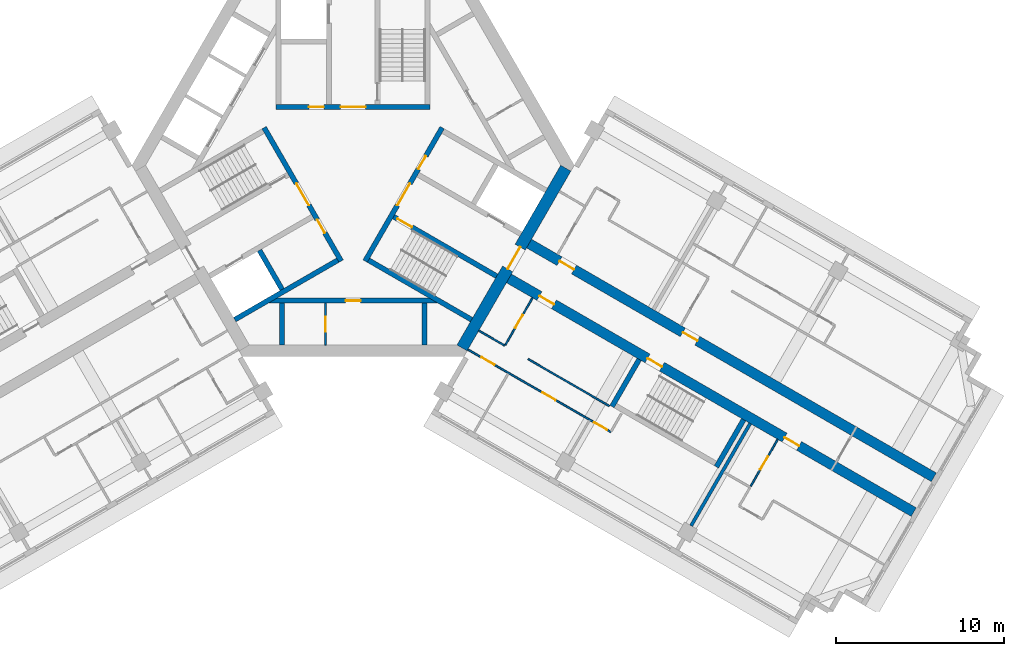
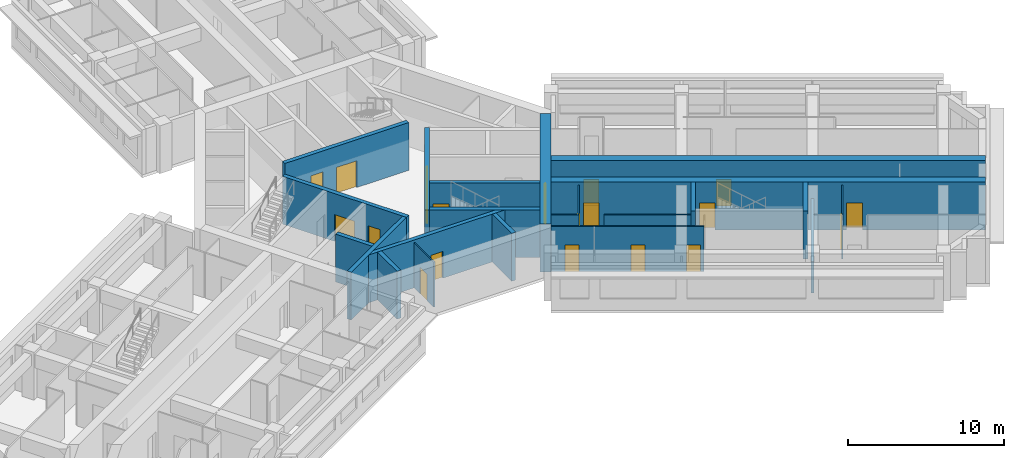
# One storey, part 5 of 10: 22 walls, 20 doors, 20 openings.
"""IFC4 building model written with IfcOpenShell, lengths in metres."""

from ifc_helpers import new_model, si_unit, direction, frame, frame_2d, origin, place, context, subcontext, project, spatial, rectangle, extrude, material, layer, layer_set, type_object, element, fill, save


model = new_model("IFC4")

# Units and contexts
model_context = context("Model", 3, precision=1e-05, world=origin(), true_north=direction((0.0, 1.0)))
body_context = subcontext(model_context, "Body", "Model", "MODEL_VIEW")
ifc_project = project(units=[si_unit("LENGTHUNIT", "METRE"), si_unit("AREAUNIT", "SQUARE_METRE"), si_unit("VOLUMEUNIT", "CUBIC_METRE"), si_unit("PLANEANGLEUNIT", "RADIAN"), si_unit("MASSUNIT", "GRAM", prefix="KILO")], contexts=[model_context])

# Site, building, storey
site_placement = place(None, origin())
site = spatial("IfcSite", under=ifc_project, at=site_placement, CompositionType="ELEMENT")
building_placement = place(site_placement, origin())
building = spatial("IfcBuilding", under=site, at=building_placement, Name="Impinga Residences", CompositionType="ELEMENT")
storey_placement = place(building_placement, frame((0.0, 0.0, 196.0)))
storey = spatial("IfcBuildingStorey", under=building, at=storey_placement, Name="L48", CompositionType="ELEMENT", Elevation=196.0)

# Wall, openings, doors
ifc_material_1 = material(Name="Concrete C60/75", Category="concrete")
ifc_layer_1 = layer(ifc_material_1, 0.60009765625)
ifc_layer_set_1 = layer_set([ifc_layer_1], Name="Concrete C60/75")
wall_type_1 = type_object("IfcWallType", Name="BW3 corridor buttress wall, L46 to L73 600", PredefinedType="SHEAR", material=ifc_layer_set_1)
wall_1_placement = place(storey_placement, frame((10.19677734375, -4.50146484375, 0.0), z_axis=(0.0, 0.0, 1.0), x_axis=(0.866026415941, -0.499998246889, 0.0)))
wall_1 = element("IfcWall", 1, at=wall_1_placement, inside=storey, type_object=wall_type_1, Name="Corridor wall BW3 EC L48", PredefinedType="SHEAR", context=body_context, shape_type="SweptSolid", body=[
    extrude(rectangle(XDim=28.25, YDim=0.60009765625, at=frame_2d((14.125, 0.0))), origin(), (0.0, 0.0, 1.0), 3.75),
])
opening_1_placement = place(wall_1_placement, frame((2.449951171875, 0.0, 0.0)))
opening_1 = element("IfcOpeningElement", 2, at=opening_1_placement, cuts=wall_1, Name="Opening D1", PredefinedType="OPENING", context=body_context, shape_type="SweptSolid", body=[
    extrude(rectangle(XDim=1.0, YDim=2.10009765625, at=frame_2d((0.5, 1.050048828125))), frame((0.0, 0.31005859375, 0.0), z_axis=(0.0, -1.0, 0.0), x_axis=(1.0, 0.0, 0.0)), (0.0, 0.0, 1.0), 0.6201171875),
])
opening_2_placement = place(wall_1_placement, frame((10.949951171875, 0.0, 0.0)))
opening_2 = element("IfcOpeningElement", 3, at=opening_2_placement, cuts=wall_1, Name="Opening D1", PredefinedType="OPENING", context=body_context, shape_type="SweptSolid", body=[
    extrude(rectangle(XDim=1.0, YDim=2.10009765625, at=frame_2d((0.5, 1.050048828125))), frame((0.0, 0.31005859375, 0.0), z_axis=(0.0, -1.0, 0.0), x_axis=(1.0, 0.0, 0.0)), (0.0, 0.0, 1.0), 0.6201171875),
])
ifc_material_2 = material(Name="Timber door set", Category="wood")
door_type_1 = type_object("IfcDoorType", Name="D1 apartment entrance door 1000x2100", OperationType="SINGLE_SWING_LEFT", PredefinedType="DOOR", material=ifc_material_2)
door_1_placement = place(opening_1_placement, origin())
door_1 = element("IfcDoor", 4, at=door_1_placement, inside=storey, type_object=door_type_1, Name="Apartment L48-EA1 entrance", OperationType="SINGLE_SWING_LEFT", OverallHeight=2.10009765625, OverallWidth=1.0, PredefinedType="DOOR", context=body_context, shape_type="SweptSolid", body=[
    extrude(rectangle(XDim=1.0, YDim=2.10009765625, at=frame_2d((0.5, 1.050048828125))), frame((0.0, 0.02490234375, 0.0), z_axis=(0.0, -1.0, 0.0), x_axis=(1.0, 0.0, 0.0)), (0.0, 0.0, 1.0), 0.050048828125),
])
fill(opening_1, door_1)
door_2_placement = place(opening_2_placement, origin())
door_2 = element("IfcDoor", 5, at=door_2_placement, inside=storey, type_object=door_type_1, Name="Apartment L48-EA2 entrance", OperationType="SINGLE_SWING_LEFT", OverallHeight=2.10009765625, OverallWidth=1.0, PredefinedType="DOOR", context=body_context, shape_type="SweptSolid", body=[
    extrude(rectangle(XDim=1.0, YDim=2.10009765625, at=frame_2d((0.5, 1.050048828125))), frame((0.0, 0.02490234375, 0.0), z_axis=(0.0, -1.0, 0.0), x_axis=(1.0, 0.0, 0.0)), (0.0, 0.0, 1.0), 0.050048828125),
])
fill(opening_2, door_2)

wall_2_placement = place(storey_placement, frame((8.996826171875, -6.580078125, 0.0), z_axis=(0.0, 0.0, 1.0), x_axis=(0.866026415941, -0.499998246889, 0.0)))
wall_2 = element("IfcWall", 6, at=wall_2_placement, inside=storey, type_object=wall_type_1, Name="Corridor wall BW3 ED L48", PredefinedType="SHEAR", context=body_context, shape_type="SweptSolid", body=[
    extrude(rectangle(XDim=28.25, YDim=0.60009765625, at=frame_2d((14.125, 0.0))), origin(), (0.0, 0.0, 1.0), 3.75),
])
opening_3_placement = place(wall_2_placement, frame((9.89990234375, 0.0, 0.0)))
opening_3 = element("IfcOpeningElement", 7, at=opening_3_placement, cuts=wall_2, Name="Opening D5", PredefinedType="OPENING", context=body_context, shape_type="SweptSolid", body=[
    extrude(rectangle(XDim=1.0, YDim=2.10009765625, at=frame_2d((0.5, 1.050048828125))), frame((0.0, 0.31005859375, 0.0), z_axis=(0.0, -1.0, 0.0), x_axis=(1.0, 0.0, 0.0)), (0.0, 0.0, 1.0), 0.6201171875),
])
opening_4_placement = place(wall_2_placement, frame((2.449951171875, 0.0, 0.0)))
opening_4 = element("IfcOpeningElement", 8, at=opening_4_placement, cuts=wall_2, Name="Opening D1", PredefinedType="OPENING", context=body_context, shape_type="SweptSolid", body=[
    extrude(rectangle(XDim=1.0, YDim=2.10009765625, at=frame_2d((0.5, 1.050048828125))), frame((0.0, 0.31005859375, 0.0), z_axis=(0.0, -1.0, 0.0), x_axis=(1.0, 0.0, 0.0)), (0.0, 0.0, 1.0), 0.6201171875),
])
opening_5_placement = place(wall_2_placement, frame((19.35009765625, 0.0, 0.0)))
opening_5 = element("IfcOpeningElement", 9, at=opening_5_placement, cuts=wall_2, Name="Opening D1", PredefinedType="OPENING", context=body_context, shape_type="SweptSolid", body=[
    extrude(rectangle(XDim=1.0, YDim=2.10009765625, at=frame_2d((0.5, 1.050048828125))), frame((0.0, 0.31005859375, 0.0), z_axis=(0.0, -1.0, 0.0), x_axis=(1.0, 0.0, 0.0)), (0.0, 0.0, 1.0), 0.6201171875),
])
door_3_placement = place(opening_4_placement, origin())
door_3 = element("IfcDoor", 10, at=door_3_placement, inside=storey, type_object=door_type_1, Name="Apartment L48-EF1 entrance", OperationType="SINGLE_SWING_LEFT", OverallHeight=2.10009765625, OverallWidth=1.0, PredefinedType="DOOR", context=body_context, shape_type="SweptSolid", body=[
    extrude(rectangle(XDim=1.0, YDim=2.10009765625, at=frame_2d((0.5, 1.050048828125))), frame((0.0, 0.02490234375, 0.0), z_axis=(0.0, -1.0, 0.0), x_axis=(1.0, 0.0, 0.0)), (0.0, 0.0, 1.0), 0.050048828125),
])
fill(opening_4, door_3)
door_4_placement = place(opening_5_placement, origin())
door_4 = element("IfcDoor", 11, at=door_4_placement, inside=storey, type_object=door_type_1, Name="Apartment L48-EF2 entrance", OperationType="SINGLE_SWING_RIGHT", OverallHeight=2.10009765625, OverallWidth=1.0, PredefinedType="DOOR", context=body_context, shape_type="SweptSolid", body=[
    extrude(rectangle(XDim=1.0, YDim=2.10009765625, at=frame_2d((0.5, 1.050048828125))), frame((0.0, 0.02490234375, 0.0), z_axis=(0.0, -1.0, 0.0), x_axis=(1.0, 0.0, 0.0)), (0.0, 0.0, 1.0), 0.050048828125),
])
fill(opening_5, door_4)
door_type_2 = type_object("IfcDoorType", Name="D5 stair door 1000x2100", OperationType="SINGLE_SWING_LEFT", PredefinedType="DOOR", material=ifc_material_2)
door_5_placement = place(opening_3_placement, origin())
door_5 = element("IfcDoor", 12, at=door_5_placement, inside=storey, type_object=door_type_2, Name="Wing stair door E", OperationType="SINGLE_SWING_LEFT", OverallHeight=2.10009765625, OverallWidth=1.0, PredefinedType="DOOR", context=body_context, shape_type="SweptSolid", body=[
    extrude(rectangle(XDim=1.0, YDim=2.10009765625, at=frame_2d((0.5, 1.050048828125))), frame((0.0, 0.02490234375, 0.0), z_axis=(0.0, -1.0, 0.0), x_axis=(1.0, 0.0, 0.0)), (0.0, 0.0, 1.0), 0.050048828125),
])
fill(opening_3, door_5)

# Wall, opening, door
ifc_material_3 = material(Name="Concrete blockwork", Category="masonry")
ifc_layer_2 = layer(ifc_material_3, 0.10009765625)
ifc_layer_set_2 = layer_set([ifc_layer_2], Name="CP1 core room partition, blockwork 100")
wall_type_2 = type_object("IfcWallType", Name="CP1 core room partition, blockwork 100", PredefinedType="PARTITIONING", material=ifc_layer_set_2)
wall_3_placement = place(storey_placement, frame((-1.64990234375, -8.2314453125, 0.0), z_axis=(0.0, 0.0, 1.0), x_axis=(0.0, -1.0, 0.0)))
wall_3 = element("IfcWall", 13, at=wall_3_placement, inside=storey, type_object=wall_type_2, Name="Core room partition, blockwork L48:CORE:low:ZP1", PredefinedType="PARTITIONING", context=body_context, shape_type="SweptSolid", body=[
    extrude(rectangle(XDim=2.5, YDim=0.10009765625, at=frame_2d((1.25, 0.0))), origin(), (0.0, 0.0, 1.0), 3.530029296875),
])
opening_6_placement = place(wall_3_placement, frame((0.800048828125, 0.0, 0.0)))
opening_6 = element("IfcOpeningElement", 14, at=opening_6_placement, cuts=wall_3, Name="Opening D6", PredefinedType="OPENING", context=body_context, shape_type="SweptSolid", body=[
    extrude(rectangle(XDim=0.89990234375, YDim=2.10009765625, at=frame_2d((0.449951171875, 1.050048828125))), frame((0.0, 0.06005859375, 0.0), z_axis=(0.0, -1.0, 0.0), x_axis=(1.0, 0.0, 0.0)), (0.0, 0.0, 1.0), 0.1201171875),
])
door_type_3 = type_object("IfcDoorType", Name="D6 riser and store door 900x2100", OperationType="SINGLE_SWING_LEFT", PredefinedType="DOOR", material=ifc_material_2)
door_6_placement = place(opening_6_placement, origin())
door_6 = element("IfcDoor", 15, at=door_6_placement, inside=storey, type_object=door_type_3, Name="Linen store door", OperationType="SINGLE_SWING_LEFT", OverallHeight=2.10009765625, OverallWidth=0.89990234375, PredefinedType="DOOR", context=body_context, shape_type="SweptSolid", body=[
    extrude(rectangle(XDim=0.89990234375, YDim=2.10009765625, at=frame_2d((0.449951171875, 1.050048828125))), frame((0.0, 0.02490234375, 0.0), z_axis=(0.0, -1.0, 0.0), x_axis=(1.0, 0.0, 0.0)), (0.0, 0.0, 1.0), 0.050048828125),
])
fill(opening_6, door_6)

# Walls
ifc_material_4 = material(Name="Gypsum board on steel studs", Category="steel")
ifc_layer_3 = layer(ifc_material_4, 0.10009765625)
ifc_layer_set_3 = layer_set([ifc_layer_3], Name="Gypsum board on steel studs")
wall_type_3 = type_object("IfcWallType", Name="IP1 partition 100", PredefinedType="PARTITIONING", material=ifc_layer_set_3)
wall_4_placement = place(storey_placement, frame((7.5, -9.872802734375, 0.0), z_axis=(0.0, 0.0, 1.0), x_axis=(0.866047807691, -0.499961193289, 0.0)))
element("IfcWall", 16, at=wall_4_placement, inside=storey, type_object=wall_type_3, Name="Partition L48-EF1:DIV0", PredefinedType="PARTITIONING", context=body_context, shape_type="SweptSolid", body=[
    extrude(rectangle(XDim=1.800048828125, YDim=0.10009765625, at=frame_2d((0.89990234375, 0.0))), origin(), (0.0, 0.0, 1.0), 3.530029296875),
])
wall_5_placement = place(storey_placement, frame((10.444580078125, -11.57275390625, 0.0), z_axis=(0.0, 0.0, 1.0), x_axis=(0.866015695474, -0.500016814911, 0.0)))
element("IfcWall", 17, at=wall_5_placement, inside=storey, type_object=wall_type_3, Name="Partition L48-EF1:DIV1", PredefinedType="PARTITIONING", context=body_context, shape_type="SweptSolid", body=[
    extrude(rectangle(XDim=5.599853515625, YDim=0.10009765625, at=frame_2d((2.7998046875, 0.0))), origin(), (0.0, 0.0, 1.0), 3.530029296875),
])

# Wall, openings, doors
wall_6_placement = place(storey_placement, frame((6.85009765625, -10.99853515625, 0.0), z_axis=(0.0, 0.0, 1.0), x_axis=(0.866021308241, -0.500007093622, 0.0)))
wall_6 = element("IfcWall", 18, at=wall_6_placement, inside=storey, type_object=wall_type_3, Name="Partition L48-EF1:STRIP", PredefinedType="PARTITIONING", context=body_context, shape_type="SweptSolid", body=[
    extrude(rectangle(XDim=9.849853515625, YDim=0.10009765625, at=frame_2d((4.9248046875, 0.0))), origin(), (0.0, 0.0, 1.0), 3.530029296875),
])
opening_7_placement = place(wall_6_placement, frame((0.925048828125, 0.0, 0.0)))
opening_7 = element("IfcOpeningElement", 19, at=opening_7_placement, cuts=wall_6, Name="Opening D2", PredefinedType="OPENING", context=body_context, shape_type="SweptSolid", body=[
    extrude(rectangle(XDim=0.89990234375, YDim=2.10009765625, at=frame_2d((0.449951171875, 1.050048828125))), frame((0.0, 0.06005859375, 0.0), z_axis=(0.0, -1.0, 0.0), x_axis=(1.0, 0.0, 0.0)), (0.0, 0.0, 1.0), 0.1201171875),
])
opening_8_placement = place(wall_6_placement, frame((5.14990234375, 0.0, 0.0)))
opening_8 = element("IfcOpeningElement", 20, at=opening_8_placement, cuts=wall_6, Name="Opening D2", PredefinedType="OPENING", context=body_context, shape_type="SweptSolid", body=[
    extrude(rectangle(XDim=0.89990234375, YDim=2.10009765625, at=frame_2d((0.449951171875, 1.050048828125))), frame((0.0, 0.06005859375, 0.0), z_axis=(0.0, -1.0, 0.0), x_axis=(1.0, 0.0, 0.0)), (0.0, 0.0, 1.0), 0.1201171875),
])
opening_9_placement = place(wall_6_placement, frame((8.699951171875, 0.0, 0.0)))
opening_9 = element("IfcOpeningElement", 21, at=opening_9_placement, cuts=wall_6, Name="Opening D2", PredefinedType="OPENING", context=body_context, shape_type="SweptSolid", body=[
    extrude(rectangle(XDim=0.89990234375, YDim=2.10009765625, at=frame_2d((0.449951171875, 1.050048828125))), frame((0.0, 0.06005859375, 0.0), z_axis=(0.0, -1.0, 0.0), x_axis=(1.0, 0.0, 0.0)), (0.0, 0.0, 1.0), 0.1201171875),
])
door_type_4 = type_object("IfcDoorType", Name="D2 internal door 900x2100", OperationType="SINGLE_SWING_LEFT", PredefinedType="DOOR", material=ifc_material_2)
door_7_placement = place(opening_7_placement, origin())
door_7 = element("IfcDoor", 22, at=door_7_placement, inside=storey, type_object=door_type_4, Name="Apartment L48-EF1 room door", OperationType="SINGLE_SWING_LEFT", OverallHeight=2.10009765625, OverallWidth=0.89990234375, PredefinedType="DOOR", context=body_context, shape_type="SweptSolid", body=[
    extrude(rectangle(XDim=0.89990234375, YDim=2.10009765625, at=frame_2d((0.449951171875, 1.050048828125))), frame((0.0, 0.02490234375, 0.0), z_axis=(0.0, -1.0, 0.0), x_axis=(1.0, 0.0, 0.0)), (0.0, 0.0, 1.0), 0.050048828125),
])
fill(opening_7, door_7)
door_8_placement = place(opening_8_placement, origin())
door_8 = element("IfcDoor", 23, at=door_8_placement, inside=storey, type_object=door_type_4, Name="Apartment L48-EF1 room door", OperationType="SINGLE_SWING_RIGHT", OverallHeight=2.10009765625, OverallWidth=0.89990234375, PredefinedType="DOOR", context=body_context, shape_type="SweptSolid", body=[
    extrude(rectangle(XDim=0.89990234375, YDim=2.10009765625, at=frame_2d((0.449951171875, 1.050048828125))), frame((0.0, 0.02490234375, 0.0), z_axis=(0.0, -1.0, 0.0), x_axis=(1.0, 0.0, 0.0)), (0.0, 0.0, 1.0), 0.050048828125),
])
fill(opening_8, door_8)
door_9_placement = place(opening_9_placement, origin())
door_9 = element("IfcDoor", 24, at=door_9_placement, inside=storey, type_object=door_type_4, Name="Apartment L48-EF1 room door", OperationType="SINGLE_SWING_RIGHT", OverallHeight=2.10009765625, OverallWidth=0.89990234375, PredefinedType="DOOR", context=body_context, shape_type="SweptSolid", body=[
    extrude(rectangle(XDim=0.89990234375, YDim=2.10009765625, at=frame_2d((0.449951171875, 1.050048828125))), frame((0.0, 0.02490234375, 0.0), z_axis=(0.0, -1.0, 0.0), x_axis=(1.0, 0.0, 0.0)), (0.0, 0.0, 1.0), 0.050048828125),
])
fill(opening_9, door_9)

# Wall, opening, door
wall_7_placement = place(storey_placement, frame((10.708740234375, -7.914794921875, 0.0), z_axis=(0.0, 0.0, 1.0), x_axis=(-0.499984717929, -0.866034226713, 0.0)))
wall_7 = element("IfcWall", 25, at=wall_7_placement, inside=storey, type_object=wall_type_3, Name="Partition L48-EF1:IB1", PredefinedType="PARTITIONING", context=body_context, shape_type="SweptSolid", body=[
    extrude(rectangle(XDim=3.25, YDim=0.10009765625, at=frame_2d((1.625, 0.0))), origin(), (0.0, 0.0, 1.0), 3.530029296875),
])
opening_10_placement = place(wall_7_placement, frame((1.175048828125, 0.0, 0.0)))
opening_10 = element("IfcOpeningElement", 26, at=opening_10_placement, cuts=wall_7, Name="Opening D2", PredefinedType="OPENING", context=body_context, shape_type="SweptSolid", body=[
    extrude(rectangle(XDim=0.89990234375, YDim=2.10009765625, at=frame_2d((0.449951171875, 1.050048828125))), frame((0.0, 0.06005859375, 0.0), z_axis=(0.0, -1.0, 0.0), x_axis=(1.0, 0.0, 0.0)), (0.0, 0.0, 1.0), 0.1201171875),
])
door_10_placement = place(opening_10_placement, origin())
door_10 = element("IfcDoor", 27, at=door_10_placement, inside=storey, type_object=door_type_4, Name="Apartment L48-EF1 bathroom door", OperationType="SINGLE_SWING_LEFT", OverallHeight=2.10009765625, OverallWidth=0.89990234375, PredefinedType="DOOR", context=body_context, shape_type="SweptSolid", body=[
    extrude(rectangle(XDim=0.89990234375, YDim=2.10009765625, at=frame_2d((0.449951171875, 1.050048828125))), frame((0.0, 0.02490234375, 0.0), z_axis=(0.0, -1.0, 0.0), x_axis=(1.0, 0.0, 0.0)), (0.0, 0.0, 1.0), 0.050048828125),
])
fill(opening_10, door_10)

wall_8_placement = place(storey_placement, frame((25.3447265625, -16.36474609375, 0.0), z_axis=(0.0, 0.0, 1.0), x_axis=(-0.499984717929, -0.866034226713, 0.0)))
wall_8 = element("IfcWall", 28, at=wall_8_placement, inside=storey, type_object=wall_type_3, Name="Partition L48-EF2:IB1", PredefinedType="PARTITIONING", context=body_context, shape_type="SweptSolid", body=[
    extrude(rectangle(XDim=3.25, YDim=0.10009765625, at=frame_2d((1.625, 0.0))), origin(), (0.0, 0.0, 1.0), 3.530029296875),
])
opening_11_placement = place(wall_8_placement, frame((1.175048828125, 0.0, 0.0)))
opening_11 = element("IfcOpeningElement", 29, at=opening_11_placement, cuts=wall_8, Name="Opening D2", PredefinedType="OPENING", context=body_context, shape_type="SweptSolid", body=[
    extrude(rectangle(XDim=0.89990234375, YDim=2.10009765625, at=frame_2d((0.449951171875, 1.050048828125))), frame((0.0, 0.06005859375, 0.0), z_axis=(0.0, -1.0, 0.0), x_axis=(1.0, 0.0, 0.0)), (0.0, 0.0, 1.0), 0.1201171875),
])
door_11_placement = place(opening_11_placement, origin())
door_11 = element("IfcDoor", 30, at=door_11_placement, inside=storey, type_object=door_type_4, Name="Apartment L48-EF2 bathroom door", OperationType="SINGLE_SWING_LEFT", OverallHeight=2.10009765625, OverallWidth=0.89990234375, PredefinedType="DOOR", context=body_context, shape_type="SweptSolid", body=[
    extrude(rectangle(XDim=0.89990234375, YDim=2.10009765625, at=frame_2d((0.449951171875, 1.050048828125))), frame((0.0, 0.02490234375, 0.0), z_axis=(0.0, -1.0, 0.0), x_axis=(1.0, 0.0, 0.0)), (0.0, 0.0, 1.0), 0.050048828125),
])
fill(opening_11, door_11)

# Walls
ifc_layer_4 = layer(ifc_material_3, 0.199951171875)
ifc_layer_set_4 = layer_set([ifc_layer_4], Name="PW1 party wall between apartments 200")
wall_type_4 = type_object("IfcWallType", Name="PW1 party wall between apartments 200", PredefinedType="SOLIDWALL", material=ifc_layer_set_4)
wall_9_placement = place(storey_placement, frame((23.69921875, -15.414794921875, 0.0), z_axis=(0.0, 0.0, 1.0), x_axis=(-0.499990246421, -0.866031034943, 0.0)))
element("IfcWall", 31, at=wall_9_placement, inside=storey, type_object=wall_type_4, Name="Party wall between apartments L48-EF1:PARTY", PredefinedType="SOLIDWALL", context=body_context, shape_type="SweptSolid", body=[
    extrude(rectangle(XDim=7.050048828125, YDim=0.199951171875, at=frame_2d((3.52490234375, 0.0))), origin(), (0.0, 0.0, 1.0), 2.47998046875),
])
ifc_layer_5 = layer(ifc_material_1, 0.300048828125)
ifc_layer_set_5 = layer_set([ifc_layer_5], Name="Concrete C60/75")
wall_type_5 = type_object("IfcWallType", Name="SE1 wing stair enclosure wall 300", PredefinedType="SOLIDWALL", material=ifc_layer_set_5)
for number, where, z_axis, x_axis, name in (
    (32, (17.07421875, -11.58984375, 0.0), (0.0, 0.0, 1.0), (-0.500017246033, -0.866015446554, 0.0), "Stair enclosure wall SE1 E END0 L48"),
    (33, (23.3095703125, -15.189697265625, 0.0), (0.0, 0.0, 1.0), (-0.499984717929, -0.866034226713, 0.0), "Stair enclosure wall SE1 E END1 L48"),
):
    element("IfcWall", number, at=place(storey_placement, frame(where, z_axis=z_axis, x_axis=x_axis)), inside=storey, type_object=wall_type_5, Name=name, PredefinedType="SOLIDWALL", context=body_context, shape_type="SweptSolid", body=[
        extrude(rectangle(XDim=3.25, YDim=0.300048828125, at=frame_2d((1.625, 0.0))), origin(), (0.0, 0.0, 1.0), 3.75),
    ])

# Wall, opening, door
ifc_layer_6 = layer(ifc_material_1, 0.699951171875)
ifc_layer_set_6 = layer_set([ifc_layer_6], Name="Concrete C60/75")
wall_type_6 = type_object("IfcWallType", Name="SW3 core wall 700", PredefinedType="SHEAR", material=ifc_layer_set_6)
wall_10_placement = place(storey_placement, frame((12.69482421875, -0.175048828125, 0.0), z_axis=(0.0, 0.0, 1.0), x_axis=(-0.499999875397, -0.866025475724, 0.0)))
wall_10 = element("IfcWall", 34, at=wall_10_placement, inside=storey, type_object=wall_type_6, Name="Core wall SW3 E:FACE L48", PredefinedType="SHEAR", context=body_context, shape_type="SweptSolid", body=[
    extrude(rectangle(XDim=12.3916015625, YDim=0.699951171875, at=frame_2d((6.19580078125, 0.0))), origin(), (0.0, 0.0, 1.0), 3.75),
])
opening_12_placement = place(wall_10_placement, frame((5.44580078125, 0.0, 0.0)))
opening_12 = element("IfcOpeningElement", 35, at=opening_12_placement, cuts=wall_10, Name="Opening D4", PredefinedType="OPENING", context=body_context, shape_type="SweptSolid", body=[
    extrude(rectangle(XDim=1.5, YDim=2.10009765625, at=frame_2d((0.75, 1.050048828125))), frame((0.0, 0.35986328125, 0.0), z_axis=(0.0, -1.0, 0.0), x_axis=(1.0, 0.0, 0.0)), (0.0, 0.0, 1.0), 0.719970703125),
])
door_type_5 = type_object("IfcDoorType", Name="D4 lobby door pair 1500x2100", OperationType="DOUBLE_DOOR_DOUBLE_SWING", PredefinedType="DOOR", material=ifc_material_2)
door_12_placement = place(opening_12_placement, origin())
door_12 = element("IfcDoor", 36, at=door_12_placement, inside=storey, type_object=door_type_5, Name="Lobby door E", OperationType="DOUBLE_DOOR_DOUBLE_SWING", OverallHeight=2.10009765625, OverallWidth=1.5, PredefinedType="DOOR", context=body_context, shape_type="SweptSolid", body=[
    extrude(rectangle(XDim=1.5, YDim=2.10009765625, at=frame_2d((0.75, 1.050048828125))), frame((0.0, 0.02490234375, 0.0), z_axis=(0.0, -1.0, 0.0), x_axis=(1.0, 0.0, 0.0)), (0.0, 0.0, 1.0), 0.050048828125),
])
fill(opening_12, door_12)

# Wall, openings, doors
ifc_material_5 = material(Name="Concrete C70/85", Category="concrete")
ifc_layer_7 = layer(ifc_material_5, 0.300048828125)
ifc_layer_set_7 = layer_set([ifc_layer_7], Name="Concrete C70/85")
wall_type_7 = type_object("IfcWallType", Name="SW5 core inner wall, stairs, shafts and lobbies 300", PredefinedType="SHEAR", material=ifc_layer_set_7)
wall_11_placement = place(storey_placement, frame((-4.60009765625, 3.47998046875, 0.0), z_axis=(0.0, 0.0, 1.0), x_axis=(1.0, 0.0, 0.0)))
wall_11 = element("IfcWall", 37, at=wall_11_placement, inside=storey, type_object=wall_type_7, Name="Core wall SW5 N:ZONE L48", PredefinedType="SHEAR", context=body_context, shape_type="SweptSolid", body=[
    extrude(rectangle(XDim=9.2001953125, YDim=0.300048828125, at=frame_2d((4.60009765625, 0.0))), origin(), (0.0, 0.0, 1.0), 3.75),
])
opening_13_placement = place(wall_11_placement, frame((3.85009765625, 0.0, 0.0)))
opening_13 = element("IfcOpeningElement", 38, at=opening_13_placement, cuts=wall_11, Name="Opening D4", PredefinedType="OPENING", context=body_context, shape_type="SweptSolid", body=[
    extrude(rectangle(XDim=1.5, YDim=2.10009765625, at=frame_2d((0.75, 1.050048828125))), frame((0.0, 0.159912109375, 0.0), z_axis=(0.0, -1.0, 0.0), x_axis=(1.0, 0.0, 0.0)), (0.0, 0.0, 1.0), 0.320068359375),
])
opening_14_placement = place(wall_11_placement, frame((1.949951171875, 0.0, 0.0)))
opening_14 = element("IfcOpeningElement", 39, at=opening_14_placement, cuts=wall_11, Name="Opening D6", PredefinedType="OPENING", context=body_context, shape_type="SweptSolid", body=[
    extrude(rectangle(XDim=0.89990234375, YDim=2.10009765625, at=frame_2d((0.449951171875, 1.050048828125))), frame((0.0, 0.159912109375, 0.0), z_axis=(0.0, -1.0, 0.0), x_axis=(1.0, 0.0, 0.0)), (0.0, 0.0, 1.0), 0.320068359375),
])
door_13_placement = place(opening_13_placement, origin())
door_13 = element("IfcDoor", 40, at=door_13_placement, inside=storey, type_object=door_type_5, Name="Firefighting lobby door N", OperationType="DOUBLE_DOOR_DOUBLE_SWING", OverallHeight=2.10009765625, OverallWidth=1.5, PredefinedType="DOOR", context=body_context, shape_type="SweptSolid", body=[
    extrude(rectangle(XDim=1.5, YDim=2.10009765625, at=frame_2d((0.75, 1.050048828125))), frame((0.0, 0.02490234375, 0.0), z_axis=(0.0, -1.0, 0.0), x_axis=(1.0, 0.0, 0.0)), (0.0, 0.0, 1.0), 0.050048828125),
])
fill(opening_13, door_13)
door_14_placement = place(opening_14_placement, origin())
door_14 = element("IfcDoor", 41, at=door_14_placement, inside=storey, type_object=door_type_3, Name="Riser door N", OperationType="SINGLE_SWING_LEFT", OverallHeight=2.10009765625, OverallWidth=0.89990234375, PredefinedType="DOOR", context=body_context, shape_type="SweptSolid", body=[
    extrude(rectangle(XDim=0.89990234375, YDim=2.10009765625, at=frame_2d((0.449951171875, 1.050048828125))), frame((0.0, 0.02490234375, 0.0), z_axis=(0.0, -1.0, 0.0), x_axis=(1.0, 0.0, 0.0)), (0.0, 0.0, 1.0), 0.050048828125),
])
fill(opening_14, door_14)

wall_12_placement = place(storey_placement, frame((-0.7138671875, -5.7236328125, 0.0), z_axis=(0.0, 0.0, 1.0), x_axis=(-0.499995050369, 0.866028261437, 0.0)))
wall_12 = element("IfcWall", 42, at=wall_12_placement, inside=storey, type_object=wall_type_7, Name="Core wall SW5 W:ZONE L48", PredefinedType="SHEAR", context=body_context, shape_type="SweptSolid", body=[
    extrude(rectangle(XDim=9.19970703125, YDim=0.300048828125, at=frame_2d((4.599853515625, 0.0))), origin(), (0.0, 0.0, 1.0), 3.75),
])
opening_15_placement = place(wall_12_placement, frame((3.85009765625, 0.0, 0.0)))
opening_15 = element("IfcOpeningElement", 43, at=opening_15_placement, cuts=wall_12, Name="Opening D4", PredefinedType="OPENING", context=body_context, shape_type="SweptSolid", body=[
    extrude(rectangle(XDim=1.5, YDim=2.10009765625, at=frame_2d((0.75, 1.050048828125))), frame((0.0, 0.159912109375, 0.0), z_axis=(0.0, -1.0, 0.0), x_axis=(1.0, 0.0, 0.0)), (0.0, 0.0, 1.0), 0.320068359375),
])
opening_16_placement = place(wall_12_placement, frame((1.949951171875, 0.0, 0.0)))
opening_16 = element("IfcOpeningElement", 44, at=opening_16_placement, cuts=wall_12, Name="Opening D6", PredefinedType="OPENING", context=body_context, shape_type="SweptSolid", body=[
    extrude(rectangle(XDim=0.89990234375, YDim=2.10009765625, at=frame_2d((0.449951171875, 1.050048828125))), frame((0.0, 0.159912109375, 0.0), z_axis=(0.0, -1.0, 0.0), x_axis=(1.0, 0.0, 0.0)), (0.0, 0.0, 1.0), 0.320068359375),
])
door_15_placement = place(opening_15_placement, origin())
door_15 = element("IfcDoor", 45, at=door_15_placement, inside=storey, type_object=door_type_5, Name="Firefighting lobby door W", OperationType="DOUBLE_DOOR_DOUBLE_SWING", OverallHeight=2.10009765625, OverallWidth=1.5, PredefinedType="DOOR", context=body_context, shape_type="SweptSolid", body=[
    extrude(rectangle(XDim=1.5, YDim=2.10009765625, at=frame_2d((0.75, 1.050048828125))), frame((0.0, 0.02490234375, 0.0), z_axis=(0.0, -1.0, 0.0), x_axis=(1.0, 0.0, 0.0)), (0.0, 0.0, 1.0), 0.050048828125),
])
fill(opening_15, door_15)
door_16_placement = place(opening_16_placement, origin())
door_16 = element("IfcDoor", 46, at=door_16_placement, inside=storey, type_object=door_type_3, Name="Riser door W", OperationType="SINGLE_SWING_LEFT", OverallHeight=2.10009765625, OverallWidth=0.89990234375, PredefinedType="DOOR", context=body_context, shape_type="SweptSolid", body=[
    extrude(rectangle(XDim=0.89990234375, YDim=2.10009765625, at=frame_2d((0.449951171875, 1.050048828125))), frame((0.0, 0.02490234375, 0.0), z_axis=(0.0, -1.0, 0.0), x_axis=(1.0, 0.0, 0.0)), (0.0, 0.0, 1.0), 0.050048828125),
])
fill(opening_16, door_16)

# Walls
wall_13_placement = place(storey_placement, frame((-0.918701171875, -5.668701171875, 0.0), z_axis=(0.0, 0.0, 1.0), x_axis=(-0.866025859768, -0.499999210213, 0.0)))
element("IfcWall", 47, at=wall_13_placement, inside=storey, type_object=wall_type_7, Name="Core wall SW5 W:FF-OUT L48", PredefinedType="SHEAR", context=body_context, shape_type="SweptSolid", body=[
    extrude(rectangle(XDim=7.1015625, YDim=0.300048828125, at=frame_2d((3.55078125, 0.0))), origin(), (0.0, 0.0, 1.0), 3.75),
])
wall_14_placement = place(storey_placement, frame((-4.2412109375, -7.413818359375, 0.0), z_axis=(0.0, 0.0, 1.0), x_axis=(-0.500048589285, 0.86599734893, 0.0)))
element("IfcWall", 48, at=wall_14_placement, inside=storey, type_object=wall_type_7, Name="Core wall SW5 W:FF-RS L48", PredefinedType="SHEAR", context=body_context, shape_type="SweptSolid", body=[
    extrude(rectangle(XDim=2.699951171875, YDim=0.300048828125, at=frame_2d((1.35009765625, 0.0))), origin(), (0.0, 0.0, 1.0), 3.75),
])

# Wall, openings, doors
wall_15_placement = place(storey_placement, frame((5.313720703125, 2.24365234375, 0.0), z_axis=(0.0, 0.0, 1.0), x_axis=(-0.499995050369, -0.866028261437, 0.0)))
wall_15 = element("IfcWall", 49, at=wall_15_placement, inside=storey, type_object=wall_type_7, Name="Core wall SW5 E:ZONE L48", PredefinedType="SHEAR", context=body_context, shape_type="SweptSolid", body=[
    extrude(rectangle(XDim=9.19970703125, YDim=0.300048828125, at=frame_2d((4.599853515625, 0.0))), origin(), (0.0, 0.0, 1.0), 3.75),
])
opening_17_placement = place(wall_15_placement, frame((3.85009765625, 0.0, 0.0)))
opening_17 = element("IfcOpeningElement", 50, at=opening_17_placement, cuts=wall_15, Name="Opening D4", PredefinedType="OPENING", context=body_context, shape_type="SweptSolid", body=[
    extrude(rectangle(XDim=1.5, YDim=2.10009765625, at=frame_2d((0.75, 1.050048828125))), frame((0.0, 0.159912109375, 0.0), z_axis=(0.0, -1.0, 0.0), x_axis=(1.0, 0.0, 0.0)), (0.0, 0.0, 1.0), 0.320068359375),
])
opening_18_placement = place(wall_15_placement, frame((1.949951171875, 0.0, 0.0)))
opening_18 = element("IfcOpeningElement", 51, at=opening_18_placement, cuts=wall_15, Name="Opening D6", PredefinedType="OPENING", context=body_context, shape_type="SweptSolid", body=[
    extrude(rectangle(XDim=0.89990234375, YDim=2.10009765625, at=frame_2d((0.449951171875, 1.050048828125))), frame((0.0, 0.159912109375, 0.0), z_axis=(0.0, -1.0, 0.0), x_axis=(1.0, 0.0, 0.0)), (0.0, 0.0, 1.0), 0.320068359375),
])
door_17_placement = place(opening_17_placement, origin())
door_17 = element("IfcDoor", 52, at=door_17_placement, inside=storey, type_object=door_type_5, Name="Firefighting lobby door E", OperationType="DOUBLE_DOOR_DOUBLE_SWING", OverallHeight=2.10009765625, OverallWidth=1.5, PredefinedType="DOOR", context=body_context, shape_type="SweptSolid", body=[
    extrude(rectangle(XDim=1.5, YDim=2.10009765625, at=frame_2d((0.75, 1.050048828125))), frame((0.0, 0.02490234375, 0.0), z_axis=(0.0, -1.0, 0.0), x_axis=(1.0, 0.0, 0.0)), (0.0, 0.0, 1.0), 0.050048828125),
])
fill(opening_17, door_17)
door_18_placement = place(opening_18_placement, origin())
door_18 = element("IfcDoor", 53, at=door_18_placement, inside=storey, type_object=door_type_3, Name="Riser door E", OperationType="SINGLE_SWING_LEFT", OverallHeight=2.10009765625, OverallWidth=0.89990234375, PredefinedType="DOOR", context=body_context, shape_type="SweptSolid", body=[
    extrude(rectangle(XDim=0.89990234375, YDim=2.10009765625, at=frame_2d((0.449951171875, 1.050048828125))), frame((0.0, 0.02490234375, 0.0), z_axis=(0.0, -1.0, 0.0), x_axis=(1.0, 0.0, 0.0)), (0.0, 0.0, 1.0), 0.050048828125),
])
fill(opening_18, door_18)

# Wall, opening, door
wall_16_placement = place(storey_placement, frame((2.418701171875, -3.07080078125, 0.0), z_axis=(0.0, 0.0, 1.0), x_axis=(0.866025859768, -0.499999210213, 0.0)))
wall_16 = element("IfcWall", 54, at=wall_16_placement, inside=storey, type_object=wall_type_7, Name="Core wall SW5 E:ST-IN L48", PredefinedType="SHEAR", context=body_context, shape_type="SweptSolid", body=[
    extrude(rectangle(XDim=7.1015625, YDim=0.300048828125, at=frame_2d((3.55078125, 0.0))), origin(), (0.0, 0.0, 1.0), 3.75),
])
opening_19_placement = place(wall_16_placement, frame((0.25, 0.0, 0.0)))
opening_19 = element("IfcOpeningElement", 55, at=opening_19_placement, cuts=wall_16, Name="Opening D5", PredefinedType="OPENING", context=body_context, shape_type="SweptSolid", body=[
    extrude(rectangle(XDim=1.0, YDim=2.10009765625, at=frame_2d((0.5, 1.050048828125))), frame((0.0, 0.159912109375, 0.0), z_axis=(0.0, -1.0, 0.0), x_axis=(1.0, 0.0, 0.0)), (0.0, 0.0, 1.0), 0.320068359375),
])
door_19_placement = place(opening_19_placement, origin())
door_19 = element("IfcDoor", 56, at=door_19_placement, inside=storey, type_object=door_type_2, Name="Stair door E", OperationType="SINGLE_SWING_LEFT", OverallHeight=2.10009765625, OverallWidth=1.0, PredefinedType="DOOR", context=body_context, shape_type="SweptSolid", body=[
    extrude(rectangle(XDim=1.0, YDim=2.10009765625, at=frame_2d((0.5, 1.050048828125))), frame((0.0, 0.02490234375, 0.0), z_axis=(0.0, -1.0, 0.0), x_axis=(1.0, 0.0, 0.0)), (0.0, 0.0, 1.0), 0.050048828125),
])
fill(opening_19, door_19)

# Wall
wall_17_placement = place(storey_placement, frame((0.918701171875, -5.668701171875, 0.0), z_axis=(0.0, 0.0, 1.0), x_axis=(0.866025859768, -0.499999210213, 0.0)))
element("IfcWall", 57, at=wall_17_placement, inside=storey, type_object=wall_type_7, Name="Core wall SW5 E:ST-OUT L48", PredefinedType="SHEAR", context=body_context, shape_type="SweptSolid", body=[
    extrude(rectangle(XDim=7.1015625, YDim=0.300048828125, at=frame_2d((3.55078125, 0.0))), origin(), (0.0, 0.0, 1.0), 3.75),
])

# Wall, opening, door
wall_18_placement = place(storey_placement, frame((5.09765625, -8.08154296875, 0.0), z_axis=(0.0, 0.0, 1.0), x_axis=(-1.0, 0.0, 0.0)))
wall_18 = element("IfcWall", 58, at=wall_18_placement, inside=storey, type_object=wall_type_7, Name="Core wall SW5 N:BANK-FRONT L48", PredefinedType="SHEAR", context=body_context, shape_type="SweptSolid", body=[
    extrude(rectangle(XDim=10.1953125, YDim=0.300048828125, at=frame_2d((5.09765625, 0.0))), origin(), (0.0, 0.0, 1.0), 3.75),
])
opening_20_placement = place(wall_18_placement, frame((4.647705078125, 0.0, 0.0)))
opening_20 = element("IfcOpeningElement", 59, at=opening_20_placement, cuts=wall_18, Name="Opening D6", PredefinedType="OPENING", context=body_context, shape_type="SweptSolid", body=[
    extrude(rectangle(XDim=0.89990234375, YDim=2.10009765625, at=frame_2d((0.449951171875, 1.050048828125))), frame((0.0, 0.159912109375, 0.0), z_axis=(0.0, -1.0, 0.0), x_axis=(1.0, 0.0, 0.0)), (0.0, 0.0, 1.0), 0.320068359375),
])
door_20_placement = place(opening_20_placement, origin())
door_20 = element("IfcDoor", 60, at=door_20_placement, inside=storey, type_object=door_type_3, Name="Housekeeping store door", OperationType="SINGLE_SWING_LEFT", OverallHeight=2.10009765625, OverallWidth=0.89990234375, PredefinedType="DOOR", context=body_context, shape_type="SweptSolid", body=[
    extrude(rectangle(XDim=0.89990234375, YDim=2.10009765625, at=frame_2d((0.449951171875, 1.050048828125))), frame((0.0, 0.02490234375, 0.0), z_axis=(0.0, -1.0, 0.0), x_axis=(1.0, 0.0, 0.0)), (0.0, 0.0, 1.0), 0.050048828125),
])
fill(opening_20, door_20)

# Walls
for number, where, z_axis, x_axis, name in (
    (61, (4.25, -8.2314453125, 0.0), (0.0, 0.0, 1.0), (0.0, -1.0, 0.0), "Core wall SW5 N:BANK-L L48"),
    (62, (-4.25, -8.2314453125, 0.0), (0.0, 0.0, 1.0), (0.0, -1.0, 0.0), "Core wall SW5 N:BANK-R L48"),
):
    element("IfcWall", number, at=place(storey_placement, frame(where, z_axis=z_axis, x_axis=x_axis)), inside=storey, type_object=wall_type_7, Name=name, PredefinedType="SHEAR", context=body_context, shape_type="SweptSolid", body=[
        extrude(rectangle(XDim=2.5, YDim=0.300048828125, at=frame_2d((1.25, 0.0))), origin(), (0.0, 0.0, 1.0), 3.75),
    ])

save(model, "model.ifc")
